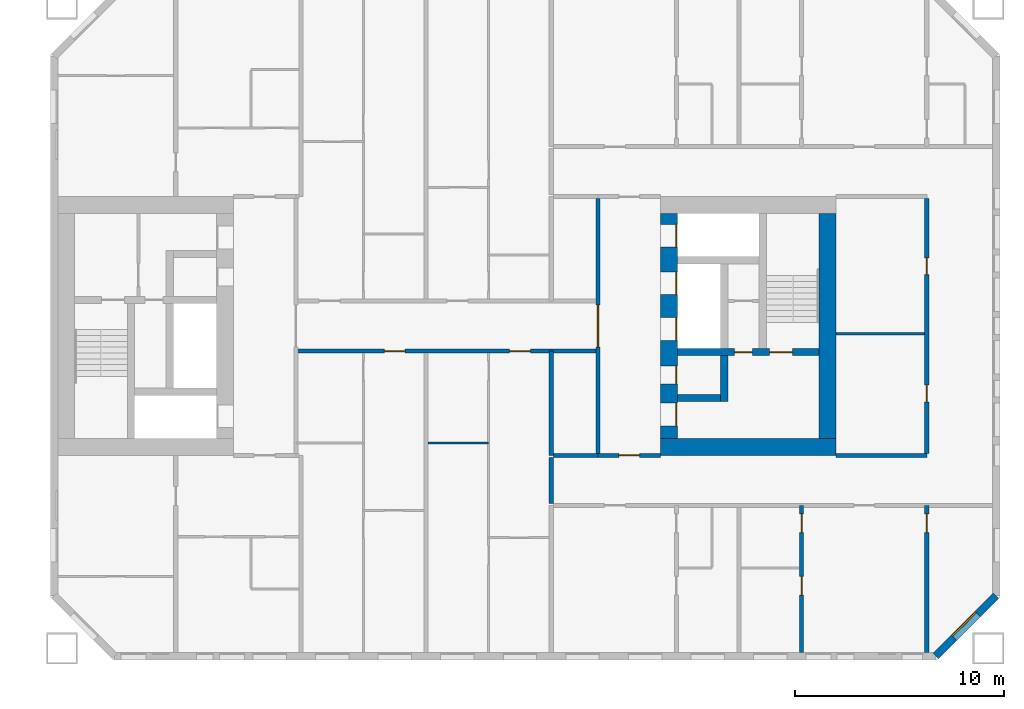
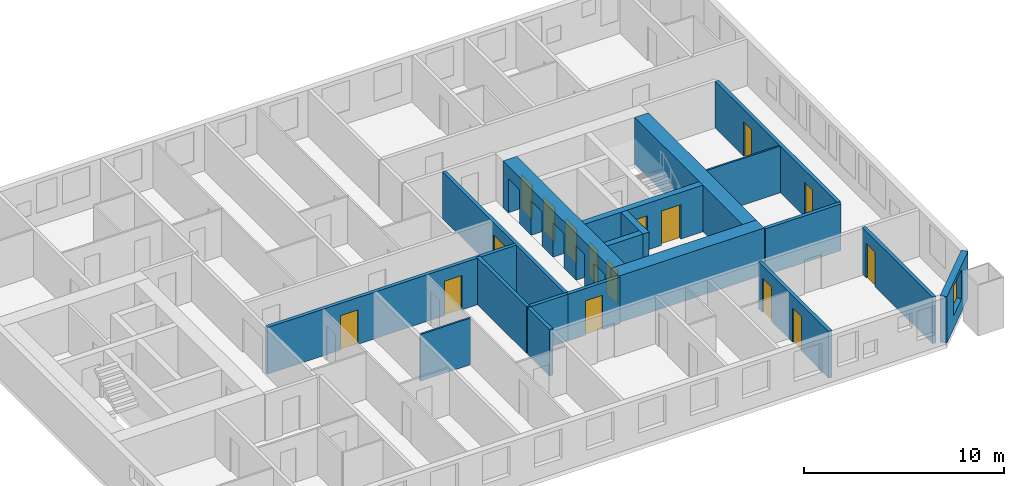
# One storey, part 12 of 17: 19 walls, 16 doors, 1 window, 17 openings.
"""IFC4 building model written with IfcOpenShell, lengths in metres."""

import ifcopenshell
import ifcopenshell.guid

model = None  # the IFC model being written
_history = None  # IfcOwnerHistory: only IFC2X3 demands one
_inside = {}  # id of a spatial element -> (the spatial element, [elements in it])
_under = {}  # id of a project, library or spatial element -> (it, [spatial elements below it])
_declared = {}  # id of a project -> (the project, [libraries it declares])
_typed = {}  # id of a type object -> (the type object, [elements of that type])
_made_of = {}  # id of a material, layer set ... -> (it, [elements and type objects made of it])


def new_model(schema):
    """Start an empty IFC model of exactly this schema.

    Asked for "IFC4X3", IfcOpenShell would pick the latest addendum, in which some entities
    have other attributes; the version numbers below select the first issue.
    IFC2X3 requires an IfcOwnerHistory on every rooted entity: one is made here for all.
    """
    global model, _history
    if schema == "IFC4X3":
        model = ifcopenshell.file(schema_version=(4, 3, 0, 0))
    else:
        model = ifcopenshell.file(schema=schema)
    _inside.clear()
    _under.clear()
    _declared.clear()
    _typed.clear()
    _made_of.clear()
    _history = None
    if model.schema == "IFC2X3":
        org = make("IfcOrganization", Name="unknown")
        user = make(
            "IfcPersonAndOrganization",
            ThePerson=make("IfcPerson", FamilyName="unknown"),
            TheOrganization=org,
        )
        app = make(
            "IfcApplication",
            ApplicationDeveloper=org,
            Version="unknown",
            ApplicationFullName="unknown",
            ApplicationIdentifier="unknown",
        )
        _history = make(
            "IfcOwnerHistory",
            OwningUser=user,
            OwningApplication=app,
            ChangeAction="ADDED",
            CreationDate=0,
        )
    return model


def make(cls, **values):
    """One entity of the class cls with the attributes given. An attribute that is None is left unset."""
    return model.create_entity(
        cls, **{name: value for name, value in values.items() if value is not None}
    )


def rooted(cls, **values):
    """An entity with a GlobalId (a new one), such as an element, a storey or a relation."""
    return make(cls, GlobalId=ifcopenshell.guid.new(), OwnerHistory=_history, **values)


def si_unit(unit_type, name, prefix=None):
    """IfcSIUnit, for example si_unit("LENGTHUNIT", "METRE", prefix="MILLI")."""
    return make("IfcSIUnit", UnitType=unit_type, Prefix=prefix, Name=name)


def assignment(units):
    """IfcUnitAssignment: the units of a project."""
    return None if units is None else make("IfcUnitAssignment", Units=units)


def point(xyz):
    """IfcCartesianPoint."""
    return None if xyz is None else make("IfcCartesianPoint", Coordinates=xyz)


def direction(xyz):
    """IfcDirection."""
    return None if xyz is None else make("IfcDirection", DirectionRatios=xyz)


def frame(location, z_axis=None, x_axis=None):
    """IfcAxis2Placement3D, a coordinate frame: its origin and axes. An axis left out is left unset."""
    return make(
        "IfcAxis2Placement3D",
        Location=point(location),
        Axis=direction(z_axis),
        RefDirection=direction(x_axis),
    )


def frame_2d(location, x_axis=None):
    """IfcAxis2Placement2D, a coordinate frame in the plane: its origin and x axis."""
    return make(
        "IfcAxis2Placement2D", Location=point(location), RefDirection=direction(x_axis)
    )


def origin():
    """The frame at (0, 0, 0) with its axes left unset."""
    return frame((0.0, 0.0, 0.0))


def place(relative_to, where):
    """IfcLocalPlacement: puts the frame where relative to a parent placement (None: the world)."""
    return make(
        "IfcLocalPlacement", PlacementRelTo=relative_to, RelativePlacement=where
    )


def context(
    kind, dimensions, precision=None, world=None, true_north=None, identifier=None
):
    """IfcGeometricRepresentationContext, for example the 3D "Model" context."""
    return make(
        "IfcGeometricRepresentationContext",
        ContextIdentifier=identifier,
        ContextType=kind,
        CoordinateSpaceDimension=dimensions,
        Precision=precision,
        WorldCoordinateSystem=world,
        TrueNorth=true_north,
    )


def subcontext(parent, identifier, kind, view, scale=None):
    """IfcGeometricRepresentationSubContext, for example "Body" below "Model"."""
    return make(
        "IfcGeometricRepresentationSubContext",
        ContextIdentifier=identifier,
        ContextType=kind,
        ParentContext=parent,
        TargetScale=scale,
        TargetView=view,
    )


def project(units=None, contexts=None):
    """IfcProject with its units and contexts."""
    return rooted(
        "IfcProject",
        Name="project",
        RepresentationContexts=contexts,
        UnitsInContext=assignment(units),
    )


def spatial(cls, under=None, at=None, **own):
    """A site, building, storey or space (cls), placed at a placement, below another one or the project."""
    s = rooted(cls, ObjectPlacement=at, **own)
    if under is not None:
        _under.setdefault(under.id(), (under, []))[1].append(s)
    return s


def profile(cls, at=None, kind="AREA", **sizes):
    """A parametric profile (cls). Its sizes go by their IFC names, for example OverallWidth=200.0."""
    return make(cls, ProfileType=kind, Position=at, **sizes)


def rectangle(**sizes):
    """IfcRectangleProfileDef."""
    return profile("IfcRectangleProfileDef", **sizes)


def extrude(swept, where, along, depth):
    """IfcExtrudedAreaSolid: the profile swept, set in the frame where, extruded along a direction by depth."""
    return make(
        "IfcExtrudedAreaSolid",
        SweptArea=swept,
        Position=where,
        ExtrudedDirection=direction(along),
        Depth=depth,
    )


def shape(context_of_items, identifier, shape_type, items):
    """IfcShapeRepresentation: the items that make up one representation, for example the "Body"."""
    return make(
        "IfcShapeRepresentation",
        ContextOfItems=context_of_items,
        RepresentationIdentifier=identifier,
        RepresentationType=shape_type,
        Items=items,
    )


def material(Name=None, Category=None):
    """IfcMaterial."""
    return make("IfcMaterial", Name=Name, Category=Category)


def layer(
    of_material, thickness, ventilated=None, Name=None, Category=None, Priority=None
):
    """IfcMaterialLayer: one layer of a wall or slab, of a material (None: an air gap)."""
    return make(
        "IfcMaterialLayer",
        Material=of_material,
        LayerThickness=thickness,
        IsVentilated=ventilated,
        Name=Name,
        Category=Category,
        Priority=Priority,
    )


def layer_set(layers, Name=None):
    """IfcMaterialLayerSet."""
    return make("IfcMaterialLayerSet", MaterialLayers=layers, LayerSetName=Name)


def made_of(thing, what):
    """Note that an element or type object is made of a material, layer set ...; save() writes the relation."""
    if what is not None:
        _made_of.setdefault(what.id(), (what, []))[1].append(thing)
    return thing


def type_object(cls, material=None, **own):
    """A type object (cls), such as IfcWallType, which elements share."""
    return made_of(rooted(cls, **own), material)


def element(
    cls,
    number,
    at=None,
    inside=None,
    cuts=None,
    type_object=None,
    material=None,
    context=None,
    identifier="Body",
    shape_type=None,
    held_by="IfcProductDefinitionShape",
    body=None,
    shapes=None,
    **own,
):
    """One element of the class cls, such as IfcWall. Its Tag is "e" and its number.

    at: its placement. inside: the storey or other place that contains it. cuts: it is an
    opening in that element (IfcRelVoidsElement). A single representation is given by context,
    identifier, shape_type and body (its items); several are given by shapes. held_by: the class
    of the entity that holds the representations. save() writes the other relations.
    """
    e = rooted(cls, Tag="e%d" % number, ObjectPlacement=at, **own)
    if body is not None:
        shapes = [shape(context, identifier, shape_type, body)]
    if shapes is not None:
        e.Representation = make(held_by, Representations=shapes)
    if inside is not None:
        _inside.setdefault(inside.id(), (inside, []))[1].append(e)
    if cuts is not None:
        rooted(
            "IfcRelVoidsElement", RelatingBuildingElement=cuts, RelatedOpeningElement=e
        )
    if type_object is not None:
        _typed.setdefault(type_object.id(), (type_object, []))[1].append(e)
    return made_of(e, material)


def fill(opening, filler):
    """IfcRelFillsElement: the door or window that sits in an opening."""
    return rooted(
        "IfcRelFillsElement",
        RelatingOpeningElement=opening,
        RelatedBuildingElement=filler,
    )


def aggregate(whole, parts):
    """IfcRelAggregates: a whole, such as a stair, and the parts it consists of."""
    return rooted("IfcRelAggregates", RelatingObject=whole, RelatedObjects=parts)


def save(model, path):
    """Write the relations noted so far, then the file.

    IfcRelAggregates (storeys below a building ...), IfcRelContainedInSpatialStructure (elements
    in a storey), IfcRelDefinesByType, IfcRelAssociatesMaterial and IfcRelDeclares: one each for
    every whole, place, type object, material and project.
    """
    for whole, parts in _under.values():
        aggregate(whole, parts)
    for where, things in _inside.values():
        rooted(
            "IfcRelContainedInSpatialStructure",
            RelatedElements=things,
            RelatingStructure=where,
        )
    for kind, things in _typed.values():
        rooted("IfcRelDefinesByType", RelatedObjects=things, RelatingType=kind)
    for what, things in _made_of.values():
        rooted("IfcRelAssociatesMaterial", RelatedObjects=things, RelatingMaterial=what)
    for by, libraries in _declared.values():
        rooted("IfcRelDeclares", RelatingContext=by, RelatedDefinitions=libraries)
    model.write(path)


model = new_model("IFC4")

# Units and contexts
model_context = context("Model", 3, precision=1e-05, world=origin(), true_north=direction((0.0, 1.0)))
body_context = subcontext(model_context, "Body", "Model", "MODEL_VIEW")
ifc_project = project(units=[si_unit("LENGTHUNIT", "METRE"), si_unit("AREAUNIT", "SQUARE_METRE"), si_unit("VOLUMEUNIT", "CUBIC_METRE"), si_unit("PLANEANGLEUNIT", "RADIAN"), si_unit("MASSUNIT", "GRAM", prefix="KILO")], contexts=[model_context])

# Site, building, storey
site_placement = place(None, origin())
site = spatial("IfcSite", under=ifc_project, at=site_placement, CompositionType="ELEMENT")
building_placement = place(site_placement, origin())
building = spatial("IfcBuilding", under=site, at=building_placement, Name="Tuart Gate Housing", CompositionType="ELEMENT")
storey_placement = place(building_placement, frame((0.0, 0.0, 47.39990234375)))
storey = spatial("IfcBuildingStorey", under=building, at=storey_placement, Name="L12", CompositionType="ELEMENT", Elevation=47.39990234375)

# Wall, opening, window
ifc_material_1 = material(Name="Brick", Category="masonry")
ifc_layer_1 = layer(ifc_material_1, 0.360107421875)
ifc_layer_set_1 = layer_set([ifc_layer_1], Name="Brick pier and spandrel wall 360")
wall_type_1 = type_object("IfcWallType", Name="Brick pier and spandrel wall 360", PredefinedType="STANDARD", material=ifc_layer_set_1)
wall_1_placement = place(storey_placement, frame((173.42529296875, 54.179931640625, 0.0), z_axis=(0.0, 0.0, 1.0), x_axis=(0.707106781187, 0.707106781187, 0.0)))
wall_1 = element("IfcWall", 1, at=wall_1_placement, inside=storey, type_object=wall_type_1, Name="External wall B-SE L12", PredefinedType="STANDARD", context=body_context, shape_type="SweptSolid", body=[
    extrude(rectangle(XDim=4.09375, YDim=0.360107421875, at=frame_2d((2.046875, 0.0))), origin(), (0.0, 0.0, 1.0), 2.85009765625),
])
opening_1_placement = place(wall_1_placement, frame((1.2470703125, 0.0, 0.800048828125)))
opening_1 = element("IfcOpeningElement", 2, at=opening_1_placement, cuts=wall_1, Name="Opening W1", PredefinedType="OPENING", context=body_context, shape_type="SweptSolid", body=[
    extrude(rectangle(XDim=1.60009765625, YDim=1.800048828125, at=frame_2d((0.800048828125, 0.89990234375))), frame((0.0, 0.18994140625, 0.0), z_axis=(0.0, -1.0, 0.0), x_axis=(1.0, 0.0, 0.0)), (0.0, 0.0, 1.0), 0.380126953125),
])
ifc_material_2 = material(Name="Aluminium frame with clear glass", Category="aluminium")
window_type = type_object("IfcWindowType", Name="Punched window 1600 x 1800", PartitioningType="SINGLE_PANEL", PredefinedType="WINDOW", material=ifc_material_2)
window_placement = place(opening_1_placement, origin())
window = element("IfcWindow", 3, at=window_placement, inside=storey, type_object=window_type, Name="Window W1", OverallHeight=1.800048828125, OverallWidth=1.60009765625, PartitioningType="SINGLE_PANEL", PredefinedType="WINDOW", context=body_context, shape_type="SweptSolid", body=[
    extrude(rectangle(XDim=1.60009765625, YDim=1.800048828125, at=frame_2d((0.800048828125, 0.89990234375))), frame((0.0, 0.150146484375, 0.0), z_axis=(0.0, -1.0, 0.0), x_axis=(1.0, 0.0, 0.0)), (0.0, 0.0, 1.0), 0.06005859375),
])
fill(opening_1, window)

# Wall, openings, doors
ifc_material_3 = material(Name="Concrete C60", Category="concrete")
ifc_layer_2 = layer(ifc_material_3, 0.35009765625)
ifc_layer_set_2 = layer_set([ifc_layer_2], Name="Core wall 350 C60")
wall_type_2 = type_object("IfcWallType", Name="Core wall 350 C60", PredefinedType="SHEAR", material=ifc_layer_set_2)
wall_2_placement = place(storey_placement, frame((161.0400390625, 68.75, 0.0), z_axis=(0.0, 0.0, 1.0), x_axis=(1.0, 0.0, 0.0)))
wall_2 = element("IfcWall", 4, at=wall_2_placement, inside=storey, type_object=wall_type_2, Name="Core wall BK.3", PredefinedType="SHEAR", context=body_context, shape_type="SweptSolid", body=[
    extrude(rectangle(XDim=6.800048828125, YDim=0.35009765625, at=frame_2d((3.39990234375, 0.0))), origin(), (0.0, 0.0, 1.0), 2.85009765625),
])
opening_2_placement = place(wall_2_placement, frame((4.425048828125, 0.0, 0.0)))
opening_2 = element("IfcOpeningElement", 5, at=opening_2_placement, cuts=wall_2, Name="Opening D693", PredefinedType="OPENING", context=body_context, shape_type="SweptSolid", body=[
    extrude(rectangle(XDim=1.10009765625, YDim=2.10009765625, at=frame_2d((0.550048828125, 1.050048828125))), frame((0.0, 0.18505859375, 0.0), z_axis=(0.0, -1.0, 0.0), x_axis=(1.0, 0.0, 0.0)), (0.0, 0.0, 1.0), 0.3701171875),
])
opening_3_placement = place(wall_2_placement, frame((2.75, 0.0, 0.0)))
opening_3 = element("IfcOpeningElement", 6, at=opening_3_placement, cuts=wall_2, Name="Opening D692", PredefinedType="OPENING", context=body_context, shape_type="SweptSolid", body=[
    extrude(rectangle(XDim=0.85009765625, YDim=2.10009765625, at=frame_2d((0.425048828125, 1.050048828125))), frame((0.0, 0.18505859375, 0.0), z_axis=(0.0, -1.0, 0.0), x_axis=(1.0, 0.0, 0.0)), (0.0, 0.0, 1.0), 0.3701171875),
])
ifc_material_4 = material(Name="Steel fire door", Category="steel")
door_type_1 = type_object("IfcDoorType", Name="Riser door 850 x 2100", OperationType="SINGLE_SWING_LEFT", PredefinedType="DOOR", material=ifc_material_4)
door_1_placement = place(opening_3_placement, origin())
door_1 = element("IfcDoor", 7, at=door_1_placement, inside=storey, type_object=door_type_1, Name="Service room door BK.W1", OperationType="SINGLE_SWING_LEFT", OverallHeight=2.10009765625, OverallWidth=0.85009765625, PredefinedType="DOOR", context=body_context, shape_type="SweptSolid", body=[
    extrude(rectangle(XDim=0.85009765625, YDim=2.10009765625, at=frame_2d((0.425048828125, 1.050048828125))), frame((0.0, 0.02490234375, 0.0), z_axis=(0.0, -1.0, 0.0), x_axis=(1.0, 0.0, 0.0)), (0.0, 0.0, 1.0), 0.050048828125),
])
fill(opening_3, door_1)
ifc_material_5 = material(Name="Steel fire door", Category="steel")
door_type_2 = type_object("IfcDoorType", Name="Stair door 1100 x 2100", OperationType="SINGLE_SWING_LEFT", PredefinedType="DOOR", material=ifc_material_5)
door_2_placement = place(opening_2_placement, origin())
door_2 = element("IfcDoor", 8, at=door_2_placement, inside=storey, type_object=door_type_2, Name="Stair door BK.SD", OperationType="SINGLE_SWING_LEFT", OverallHeight=2.10009765625, OverallWidth=1.10009765625, PredefinedType="DOOR", context=body_context, shape_type="SweptSolid", body=[
    extrude(rectangle(XDim=1.10009765625, YDim=2.10009765625, at=frame_2d((0.550048828125, 1.050048828125))), frame((0.0, 0.02490234375, 0.0), z_axis=(0.0, -1.0, 0.0), x_axis=(1.0, 0.0, 0.0)), (0.0, 0.0, 1.0), 0.050048828125),
])
fill(opening_2, door_2)

# Walls
wall_3_placement = place(storey_placement, frame((161.0400390625, 66.550048828125, 0.0), z_axis=(0.0, 0.0, 1.0), x_axis=(1.0, 0.0, 0.0)))
element("IfcWall", 9, at=wall_3_placement, inside=storey, type_object=wall_type_2, Name="Core wall BK.4", PredefinedType="SHEAR", context=body_context, shape_type="SweptSolid", body=[
    extrude(rectangle(XDim=2.074951171875, YDim=0.35009765625, at=frame_2d((1.03759765625, 0.0))), origin(), (0.0, 0.0, 1.0), 2.85009765625),
])
wall_4_placement = place(storey_placement, frame((163.2900390625, 68.574951171875, 0.0), z_axis=(0.0, 0.0, 1.0), x_axis=(0.0, -1.0, 0.0)))
element("IfcWall", 10, at=wall_4_placement, inside=storey, type_object=wall_type_2, Name="Core wall BK.6", PredefinedType="SHEAR", context=body_context, shape_type="SweptSolid", body=[
    extrude(rectangle(XDim=2.199951171875, YDim=0.35009765625, at=frame_2d((1.10009765625, 0.0))), origin(), (0.0, 0.0, 1.0), 2.85009765625),
])

# Wall, openings, doors
ifc_material_6 = material(Name="Concrete C60", Category="concrete")
ifc_layer_3 = layer(ifc_material_6, 0.800048828125)
ifc_layer_set_3 = layer_set([ifc_layer_3], Name="Core wall 800 C60")
wall_type_3 = type_object("IfcWallType", Name="Core wall 800 C60", PredefinedType="SHEAR", material=ifc_layer_set_3)
wall_5_placement = place(storey_placement, frame((160.639892578125, 75.39990234375, 0.0), z_axis=(0.0, 0.0, 1.0), x_axis=(0.0, -1.0, 0.0)))
wall_5 = element("IfcWall", 11, at=wall_5_placement, inside=storey, type_object=wall_type_3, Name="Core wall BK front", PredefinedType="SHEAR", context=body_context, shape_type="SweptSolid", body=[
    extrude(rectangle(XDim=10.7998046875, YDim=0.800048828125, at=frame_2d((5.39990234375, 0.0))), origin(), (0.0, 0.0, 1.0), 2.85009765625),
])
opening_4_placement = place(wall_5_placement, frame((0.52490234375, 0.0, 0.0)))
opening_4 = element("IfcOpeningElement", 12, at=opening_4_placement, cuts=wall_5, Name="Opening LD-FB2", PredefinedType="OPENING", context=body_context, shape_type="SweptSolid", body=[
    extrude(rectangle(XDim=1.10009765625, YDim=2.10009765625, at=frame_2d((0.550048828125, 1.050048828125))), frame((0.0, 0.409912109375, 0.0), z_axis=(0.0, -1.0, 0.0), x_axis=(1.0, 0.0, 0.0)), (0.0, 0.0, 1.0), 0.820068359375),
])
opening_5_placement = place(wall_5_placement, frame((2.800048828125, 0.0, 0.0)))
opening_5 = element("IfcOpeningElement", 13, at=opening_5_placement, cuts=wall_5, Name="Opening LD-LB3", PredefinedType="OPENING", context=body_context, shape_type="SweptSolid", body=[
    extrude(rectangle(XDim=1.10009765625, YDim=2.10009765625, at=frame_2d((0.550048828125, 1.050048828125))), frame((0.0, 0.409912109375, 0.0), z_axis=(0.0, -1.0, 0.0), x_axis=(1.0, 0.0, 0.0)), (0.0, 0.0, 1.0), 0.820068359375),
])
opening_6_placement = place(wall_5_placement, frame((5.0, 0.0, 0.0)))
opening_6 = element("IfcOpeningElement", 14, at=opening_6_placement, cuts=wall_5, Name="Opening LD-LB4", PredefinedType="OPENING", context=body_context, shape_type="SweptSolid", body=[
    extrude(rectangle(XDim=1.10009765625, YDim=2.10009765625, at=frame_2d((0.550048828125, 1.050048828125))), frame((0.0, 0.409912109375, 0.0), z_axis=(0.0, -1.0, 0.0), x_axis=(1.0, 0.0, 0.0)), (0.0, 0.0, 1.0), 0.820068359375),
])
opening_7_placement = place(wall_5_placement, frame((9.10009765625, 0.0, 0.0)))
opening_7 = element("IfcOpeningElement", 15, at=opening_7_placement, cuts=wall_5, Name="Opening D686", PredefinedType="OPENING", context=body_context, shape_type="SweptSolid", body=[
    extrude(rectangle(XDim=1.10009765625, YDim=2.10009765625, at=frame_2d((0.550048828125, 1.050048828125))), frame((0.0, 0.409912109375, 0.0), z_axis=(0.0, -1.0, 0.0), x_axis=(1.0, 0.0, 0.0)), (0.0, 0.0, 1.0), 0.820068359375),
])
opening_8_placement = place(wall_5_placement, frame((7.324951171875, 0.0, 0.0)))
opening_8 = element("IfcOpeningElement", 16, at=opening_8_placement, cuts=wall_5, Name="Opening D687", PredefinedType="OPENING", context=body_context, shape_type="SweptSolid", body=[
    extrude(rectangle(XDim=0.85009765625, YDim=2.10009765625, at=frame_2d((0.425048828125, 1.050048828125))), frame((0.0, 0.409912109375, 0.0), z_axis=(0.0, -1.0, 0.0), x_axis=(1.0, 0.0, 0.0)), (0.0, 0.0, 1.0), 0.820068359375),
])
ifc_material_7 = material(Name="Stainless steel", Category="steel")
door_type_3 = type_object("IfcDoorType", Name="Landing door 1100 x 2100", OperationType="DOUBLE_DOOR_SLIDING", PredefinedType="DOOR", material=ifc_material_7)
door_3_placement = place(opening_4_placement, origin())
door_3 = element("IfcDoor", 17, at=door_3_placement, inside=storey, type_object=door_type_3, Name="Lift landing door FB2", OperationType="DOUBLE_DOOR_SLIDING", OverallHeight=2.10009765625, OverallWidth=1.10009765625, PredefinedType="DOOR", context=body_context, shape_type="SweptSolid", body=[
    extrude(rectangle(XDim=1.10009765625, YDim=2.10009765625, at=frame_2d((0.550048828125, 1.050048828125))), frame((0.0, 0.38525390625, 0.0), z_axis=(0.0, -1.0, 0.0), x_axis=(1.0, 0.0, 0.0)), (0.0, 0.0, 1.0), 0.050048828125),
])
fill(opening_4, door_3)
door_4_placement = place(opening_5_placement, origin())
door_4 = element("IfcDoor", 18, at=door_4_placement, inside=storey, type_object=door_type_3, Name="Lift landing door LB3", OperationType="DOUBLE_DOOR_SLIDING", OverallHeight=2.10009765625, OverallWidth=1.10009765625, PredefinedType="DOOR", context=body_context, shape_type="SweptSolid", body=[
    extrude(rectangle(XDim=1.10009765625, YDim=2.10009765625, at=frame_2d((0.550048828125, 1.050048828125))), frame((0.0, 0.38525390625, 0.0), z_axis=(0.0, -1.0, 0.0), x_axis=(1.0, 0.0, 0.0)), (0.0, 0.0, 1.0), 0.050048828125),
])
fill(opening_5, door_4)
door_5_placement = place(opening_6_placement, origin())
door_5 = element("IfcDoor", 19, at=door_5_placement, inside=storey, type_object=door_type_3, Name="Lift landing door LB4", OperationType="DOUBLE_DOOR_SLIDING", OverallHeight=2.10009765625, OverallWidth=1.10009765625, PredefinedType="DOOR", context=body_context, shape_type="SweptSolid", body=[
    extrude(rectangle(XDim=1.10009765625, YDim=2.10009765625, at=frame_2d((0.550048828125, 1.050048828125))), frame((0.0, 0.38525390625, 0.0), z_axis=(0.0, -1.0, 0.0), x_axis=(1.0, 0.0, 0.0)), (0.0, 0.0, 1.0), 0.050048828125),
])
fill(opening_6, door_5)
ifc_material_8 = material(Name="Steel fire door", Category="steel")
door_type_4 = type_object("IfcDoorType", Name="Lobby door 1100 x 2100", OperationType="SINGLE_SWING_LEFT", PredefinedType="DOOR", material=ifc_material_8)
door_6_placement = place(opening_7_placement, origin())
door_6 = element("IfcDoor", 20, at=door_6_placement, inside=storey, type_object=door_type_4, Name="Lobby entry door BK.EN", OperationType="SINGLE_SWING_LEFT", OverallHeight=2.10009765625, OverallWidth=1.10009765625, PredefinedType="DOOR", context=body_context, shape_type="SweptSolid", body=[
    extrude(rectangle(XDim=1.10009765625, YDim=2.10009765625, at=frame_2d((0.550048828125, 1.050048828125))), frame((0.0, 0.38525390625, 0.0), z_axis=(0.0, -1.0, 0.0), x_axis=(1.0, 0.0, 0.0)), (0.0, 0.0, 1.0), 0.050048828125),
])
fill(opening_7, door_6)
ifc_material_9 = material(Name="Steel fire door", Category="steel")
door_type_5 = type_object("IfcDoorType", Name="Service door 850 x 2100", OperationType="SINGLE_SWING_LEFT", PredefinedType="DOOR", material=ifc_material_9)
door_7_placement = place(opening_8_placement, origin())
door_7 = element("IfcDoor", 21, at=door_7_placement, inside=storey, type_object=door_type_5, Name="Service room door BK.T1", OperationType="SINGLE_SWING_LEFT", OverallHeight=2.10009765625, OverallWidth=0.85009765625, PredefinedType="DOOR", context=body_context, shape_type="SweptSolid", body=[
    extrude(rectangle(XDim=0.85009765625, YDim=2.10009765625, at=frame_2d((0.425048828125, 1.050048828125))), frame((0.0, 0.38525390625, 0.0), z_axis=(0.0, -1.0, 0.0), x_axis=(1.0, 0.0, 0.0)), (0.0, 0.0, 1.0), 0.050048828125),
])
fill(opening_8, door_7)

# Walls
wall_6_placement = place(storey_placement, frame((168.239990234375, 75.39990234375, 0.0), z_axis=(0.0, 0.0, 1.0), x_axis=(0.0, -1.0, 0.0)))
element("IfcWall", 22, at=wall_6_placement, inside=storey, type_object=wall_type_3, Name="Core wall BK back", PredefinedType="SHEAR", context=body_context, shape_type="SweptSolid", body=[
    extrude(rectangle(XDim=10.7998046875, YDim=0.800048828125, at=frame_2d((5.39990234375, 0.0))), origin(), (0.0, 0.0, 1.0), 2.85009765625),
])
wall_7_placement = place(storey_placement, frame((160.239990234375, 64.199951171875, 0.0), z_axis=(0.0, 0.0, 1.0), x_axis=(1.0, 0.0, 0.0)))
element("IfcWall", 23, at=wall_7_placement, inside=storey, type_object=wall_type_3, Name="Core wall BK north", PredefinedType="SHEAR", context=body_context, shape_type="SweptSolid", body=[
    extrude(rectangle(XDim=8.39990234375, YDim=0.800048828125, at=frame_2d((4.199951171875, 0.0))), origin(), (0.0, 0.0, 1.0), 2.85009765625),
])
ifc_material_10 = material(Name="Concrete masonry 15 MPa", Category="masonry")
ifc_layer_4 = layer(ifc_material_10, 0.199951171875)
ifc_layer_set_4 = layer_set([ifc_layer_4], Name="Corridor wall masonry 200")
wall_type_4 = type_object("IfcWallType", Name="Corridor wall masonry 200", PredefinedType="PARTITIONING", material=ifc_layer_set_4)
wall_8_placement = place(storey_placement, frame((155.10009765625, 63.800048828125, 0.0), z_axis=(0.0, 0.0, 1.0), x_axis=(1.0, 0.0, 0.0)))
element("IfcWall", 24, at=wall_8_placement, inside=storey, type_object=wall_type_4, Name="Corridor wall masonry 200", PredefinedType="PARTITIONING", context=body_context, shape_type="SweptSolid", body=[
    extrude(rectangle(XDim=2.139892578125, YDim=0.199951171875, at=frame_2d((1.06982421875, 0.0))), origin(), (0.0, 0.0, 1.0), 2.85009765625),
])
wall_9_placement = place(storey_placement, frame((168.639892578125, 63.800048828125, 0.0), z_axis=(0.0, 0.0, 1.0), x_axis=(1.0, 0.0, 0.0)))
element("IfcWall", 25, at=wall_9_placement, inside=storey, type_object=wall_type_4, Name="Corridor wall masonry 200", PredefinedType="PARTITIONING", context=body_context, shape_type="SweptSolid", body=[
    extrude(rectangle(XDim=4.360107421875, YDim=0.199951171875, at=frame_2d((2.18017578125, 0.0))), origin(), (0.0, 0.0, 1.0), 2.85009765625),
])

# Wall, openings, doors
wall_10_placement = place(storey_placement, frame((142.760009765625, 68.800048828125, 0.0), z_axis=(0.0, 0.0, 1.0), x_axis=(1.0, 0.0, 0.0)))
wall_10 = element("IfcWall", 26, at=wall_10_placement, inside=storey, type_object=wall_type_4, Name="Corridor wall masonry 200", PredefinedType="PARTITIONING", context=body_context, shape_type="SweptSolid", body=[
    extrude(rectangle(XDim=14.47998046875, YDim=0.199951171875, at=frame_2d((7.239990234375, 0.0))), origin(), (0.0, 0.0, 1.0), 2.85009765625),
])
opening_9_placement = place(wall_10_placement, frame((4.239990234375, 0.0, 0.0)))
opening_9 = element("IfcOpeningElement", 27, at=opening_9_placement, cuts=wall_10, Name="Opening D690", PredefinedType="OPENING", context=body_context, shape_type="SweptSolid", body=[
    extrude(rectangle(XDim=1.0, YDim=2.10009765625, at=frame_2d((0.5, 1.050048828125))), frame((0.0, 0.10986328125, 0.0), z_axis=(0.0, -1.0, 0.0), x_axis=(1.0, 0.0, 0.0)), (0.0, 0.0, 1.0), 0.219970703125),
])
opening_10_placement = place(wall_10_placement, frame((10.239990234375, 0.0, 0.0)))
opening_10 = element("IfcOpeningElement", 28, at=opening_10_placement, cuts=wall_10, Name="Opening D691", PredefinedType="OPENING", context=body_context, shape_type="SweptSolid", body=[
    extrude(rectangle(XDim=1.0, YDim=2.10009765625, at=frame_2d((0.5, 1.050048828125))), frame((0.0, 0.10986328125, 0.0), z_axis=(0.0, -1.0, 0.0), x_axis=(1.0, 0.0, 0.0)), (0.0, 0.0, 1.0), 0.219970703125),
])
ifc_material_11 = material(Name="Timber door leaf in steel frame", Category="steel")
door_type_6 = type_object("IfcDoorType", Name="Flat entrance door 1000 RH", OperationType="SINGLE_SWING_RIGHT", PredefinedType="DOOR", material=ifc_material_11)
door_8_placement = place(opening_9_placement, frame((1.0, 0.0, 0.0), z_axis=(0.0, 0.0, 1.0), x_axis=(-1.0, 0.0, 0.0)))
door_8 = element("IfcDoor", 29, at=door_8_placement, inside=storey, type_object=door_type_6, Name="Flat entrance door", OperationType="SINGLE_SWING_RIGHT", OverallHeight=2.10009765625, OverallWidth=1.0, PredefinedType="DOOR", context=body_context, shape_type="SweptSolid", body=[
    extrude(rectangle(XDim=1.0, YDim=2.10009765625, at=frame_2d((0.5, 1.050048828125))), frame((0.0, 0.025146484375, 0.0), z_axis=(0.0, -1.0, 0.0), x_axis=(1.0, 0.0, 0.0)), (0.0, 0.0, 1.0), 0.050048828125),
])
fill(opening_9, door_8)
door_9_placement = place(opening_10_placement, frame((1.0, 0.0, 0.0), z_axis=(0.0, 0.0, 1.0), x_axis=(-1.0, 0.0, 0.0)))
door_9 = element("IfcDoor", 30, at=door_9_placement, inside=storey, type_object=door_type_6, Name="Flat entrance door", OperationType="SINGLE_SWING_RIGHT", OverallHeight=2.10009765625, OverallWidth=1.0, PredefinedType="DOOR", context=body_context, shape_type="SweptSolid", body=[
    extrude(rectangle(XDim=1.0, YDim=2.10009765625, at=frame_2d((0.5, 1.050048828125))), frame((0.0, 0.025146484375, 0.0), z_axis=(0.0, -1.0, 0.0), x_axis=(1.0, 0.0, 0.0)), (0.0, 0.0, 1.0), 0.050048828125),
])
fill(opening_10, door_9)

# Wall
wall_11_placement = place(storey_placement, frame((155.0, 61.5, 0.0), z_axis=(0.0, 0.0, 1.0), x_axis=(0.0, 1.0, 0.0)))
element("IfcWall", 31, at=wall_11_placement, inside=storey, type_object=wall_type_4, Name="Corridor wall masonry 200", PredefinedType="PARTITIONING", context=body_context, shape_type="SweptSolid", body=[
    extrude(rectangle(XDim=2.199951171875, YDim=0.199951171875, at=frame_2d((1.10009765625, 0.0))), origin(), (0.0, 0.0, 1.0), 2.85009765625),
])

# Wall, openings, doors
wall_12_placement = place(storey_placement, frame((173.0, 63.89990234375, 0.0), z_axis=(0.0, 0.0, 1.0), x_axis=(0.0, 1.0, 0.0)))
wall_12 = element("IfcWall", 32, at=wall_12_placement, inside=storey, type_object=wall_type_4, Name="Corridor wall masonry 200", PredefinedType="PARTITIONING", context=body_context, shape_type="SweptSolid", body=[
    extrude(rectangle(XDim=12.2001953125, YDim=0.199951171875, at=frame_2d((6.10009765625, 0.0))), origin(), (0.0, 0.0, 1.0), 2.85009765625),
])
opening_11_placement = place(wall_12_placement, frame((2.465087890625, 0.0, 0.0)))
opening_11 = element("IfcOpeningElement", 33, at=opening_11_placement, cuts=wall_12, Name="Opening D688", PredefinedType="OPENING", context=body_context, shape_type="SweptSolid", body=[
    extrude(rectangle(XDim=0.800048828125, YDim=2.10009765625, at=frame_2d((0.39990234375, 1.050048828125))), frame((0.0, 0.10986328125, 0.0), z_axis=(0.0, -1.0, 0.0), x_axis=(1.0, 0.0, 0.0)), (0.0, 0.0, 1.0), 0.219970703125),
])
opening_12_placement = place(wall_12_placement, frame((8.56494140625, 0.0, 0.0)))
opening_12 = element("IfcOpeningElement", 34, at=opening_12_placement, cuts=wall_12, Name="Opening D689", PredefinedType="OPENING", context=body_context, shape_type="SweptSolid", body=[
    extrude(rectangle(XDim=0.800048828125, YDim=2.10009765625, at=frame_2d((0.39990234375, 1.050048828125))), frame((0.0, 0.10986328125, 0.0), z_axis=(0.0, -1.0, 0.0), x_axis=(1.0, 0.0, 0.0)), (0.0, 0.0, 1.0), 0.219970703125),
])
ifc_material_12 = material(Name="Timber door leaf in steel frame", Category="steel")
door_type_7 = type_object("IfcDoorType", Name="Store door 800", OperationType="SINGLE_SWING_LEFT", PredefinedType="DOOR", material=ifc_material_12)
door_10_placement = place(opening_12_placement, origin())
door_10 = element("IfcDoor", 35, at=door_10_placement, inside=storey, type_object=door_type_7, Name="Store door", OperationType="SINGLE_SWING_LEFT", OverallHeight=2.10009765625, OverallWidth=0.800048828125, PredefinedType="DOOR", context=body_context, shape_type="SweptSolid", body=[
    extrude(rectangle(XDim=0.800048828125, YDim=2.10009765625, at=frame_2d((0.39990234375, 1.050048828125))), frame((0.0, 0.02490234375, 0.0), z_axis=(0.0, -1.0, 0.0), x_axis=(1.0, 0.0, 0.0)), (0.0, 0.0, 1.0), 0.050048828125),
])
fill(opening_12, door_10)
ifc_material_13 = material(Name="Timber door leaf in steel frame", Category="steel")
door_type_8 = type_object("IfcDoorType", Name="Store door 800 RH", OperationType="SINGLE_SWING_RIGHT", PredefinedType="DOOR", material=ifc_material_13)
door_11_placement = place(opening_11_placement, origin())
door_11 = element("IfcDoor", 36, at=door_11_placement, inside=storey, type_object=door_type_8, Name="Store door", OperationType="SINGLE_SWING_RIGHT", OverallHeight=2.10009765625, OverallWidth=0.800048828125, PredefinedType="DOOR", context=body_context, shape_type="SweptSolid", body=[
    extrude(rectangle(XDim=0.800048828125, YDim=2.10009765625, at=frame_2d((0.39990234375, 1.050048828125))), frame((0.0, 0.02490234375, 0.0), z_axis=(0.0, -1.0, 0.0), x_axis=(1.0, 0.0, 0.0)), (0.0, 0.0, 1.0), 0.050048828125),
])
fill(opening_11, door_11)

# Wall, opening, door
ifc_material_14 = material(Name="Concrete masonry 15 MPa", Category="masonry")
ifc_layer_5 = layer(ifc_material_14, 0.199951171875)
ifc_layer_set_5 = layer_set([ifc_layer_5], Name="Enclosure wall masonry 200")
wall_type_5 = type_object("IfcWallType", Name="Enclosure wall masonry 200", PredefinedType="PARTITIONING", material=ifc_layer_set_5)
wall_13_placement = place(storey_placement, frame((157.239990234375, 63.800048828125, 0.0), z_axis=(0.0, 0.0, 1.0), x_axis=(1.0, 0.0, 0.0)))
wall_13 = element("IfcWall", 37, at=wall_13_placement, inside=storey, type_object=wall_type_5, Name="Enclosure wall masonry 200", PredefinedType="PARTITIONING", context=body_context, shape_type="SweptSolid", body=[
    extrude(rectangle(XDim=3.0, YDim=0.199951171875, at=frame_2d((1.5, 0.0))), origin(), (0.0, 0.0, 1.0), 2.85009765625),
])
opening_13_placement = place(wall_13_placement, frame((1.0, 0.0, 0.0)))
opening_13 = element("IfcOpeningElement", 38, at=opening_13_placement, cuts=wall_13, Name="Opening D695", PredefinedType="OPENING", context=body_context, shape_type="SweptSolid", body=[
    extrude(rectangle(XDim=1.0, YDim=2.10009765625, at=frame_2d((0.5, 1.050048828125))), frame((0.0, 0.10986328125, 0.0), z_axis=(0.0, -1.0, 0.0), x_axis=(1.0, 0.0, 0.0)), (0.0, 0.0, 1.0), 0.219970703125),
])
ifc_material_15 = material(Name="Timber door leaf in steel frame", Category="steel")
door_type_9 = type_object("IfcDoorType", Name="Fire door 1000 RH", OperationType="SINGLE_SWING_RIGHT", PredefinedType="DOOR", material=ifc_material_15)
door_12_placement = place(opening_13_placement, frame((1.0, 0.0, 0.0), z_axis=(0.0, 0.0, 1.0), x_axis=(-1.0, 0.0, 0.0)))
door_12 = element("IfcDoor", 39, at=door_12_placement, inside=storey, type_object=door_type_9, Name="Fire door", OperationType="SINGLE_SWING_RIGHT", OverallHeight=2.10009765625, OverallWidth=1.0, PredefinedType="DOOR", context=body_context, shape_type="SweptSolid", body=[
    extrude(rectangle(XDim=1.0, YDim=2.10009765625, at=frame_2d((0.5, 1.050048828125))), frame((0.0, 0.025146484375, 0.0), z_axis=(0.0, -1.0, 0.0), x_axis=(1.0, 0.0, 0.0)), (0.0, 0.0, 1.0), 0.050048828125),
])
fill(opening_13, door_12)

ifc_material_16 = material(Name="Plasterboard partition")
ifc_layer_6 = layer(ifc_material_16, 0.199951171875)
ifc_layer_set_6 = layer_set([ifc_layer_6], Name="Lobby wall 200")
wall_type_6 = type_object("IfcWallType", Name="Lobby wall 200", PredefinedType="PARTITIONING", material=ifc_layer_set_6)
wall_14_placement = place(storey_placement, frame((157.239990234375, 63.89990234375, 0.0), z_axis=(0.0, 0.0, 1.0), x_axis=(0.0, 1.0, 0.0)))
wall_14 = element("IfcWall", 40, at=wall_14_placement, inside=storey, type_object=wall_type_6, Name="Lift lobby wall BK", PredefinedType="PARTITIONING", context=body_context, shape_type="SweptSolid", body=[
    extrude(rectangle(XDim=12.2001953125, YDim=0.199951171875, at=frame_2d((6.10009765625, 0.0))), origin(), (0.0, 0.0, 1.0), 2.85009765625),
])
opening_14_placement = place(wall_14_placement, frame((5.10009765625, 0.0, 0.0)))
opening_14 = element("IfcOpeningElement", 41, at=opening_14_placement, cuts=wall_14, Name="Opening D685", PredefinedType="OPENING", context=body_context, shape_type="SweptSolid", body=[
    extrude(rectangle(XDim=2.0, YDim=2.10009765625, at=frame_2d((1.0, 1.050048828125))), frame((0.0, 0.10986328125, 0.0), z_axis=(0.0, -1.0, 0.0), x_axis=(1.0, 0.0, 0.0)), (0.0, 0.0, 1.0), 0.219970703125),
])
ifc_material_17 = material(Name="Steel fire door", Category="steel")
door_type_10 = type_object("IfcDoorType", Name="Smoke door 2000 x 2100", OperationType="DOUBLE_DOOR_SINGLE_SWING", PredefinedType="DOOR", material=ifc_material_17)
door_13_placement = place(opening_14_placement, frame((2.0, 0.0, 0.0), z_axis=(0.0, 0.0, 1.0), x_axis=(-1.0, 0.0, 0.0)))
door_13 = element("IfcDoor", 42, at=door_13_placement, inside=storey, type_object=door_type_10, Name="Lift lobby smoke door BK", OperationType="DOUBLE_DOOR_SINGLE_SWING", OverallHeight=2.10009765625, OverallWidth=2.0, PredefinedType="DOOR", context=body_context, shape_type="SweptSolid", body=[
    extrude(rectangle(XDim=2.0, YDim=2.10009765625, at=frame_2d((1.0, 1.050048828125))), frame((0.0, 0.025146484375, 0.0), z_axis=(0.0, -1.0, 0.0), x_axis=(1.0, 0.0, 0.0)), (0.0, 0.0, 1.0), 0.050048828125),
])
fill(opening_14, door_13)

# Walls
ifc_material_18 = material(Name="Gypsum board on steel studs", Category="steel")
ifc_layer_7 = layer(ifc_material_18, 0.10009765625)
ifc_layer_set_7 = layer_set([ifc_layer_7], Name="Partition 100")
wall_type_7 = type_object("IfcWallType", Name="Partition 100", PredefinedType="PARTITIONING", material=ifc_layer_set_7)
wall_15_placement = place(storey_placement, frame((149.10009765625, 64.39990234375, 0.0), z_axis=(0.0, 0.0, 1.0), x_axis=(1.0, 0.0, 0.0)))
element("IfcWall", 43, at=wall_15_placement, inside=storey, type_object=wall_type_7, Name="Partition 100", PredefinedType="PARTITIONING", context=body_context, shape_type="SweptSolid", body=[
    extrude(rectangle(XDim=2.89990234375, YDim=0.10009765625, at=frame_2d((1.449951171875, 0.0))), origin(), (0.0, 0.0, 1.0), 2.85009765625),
])
wall_16_placement = place(storey_placement, frame((168.639892578125, 69.6298828125, 0.0), z_axis=(0.0, 0.0, 1.0), x_axis=(1.0, 0.0, 0.0)))
element("IfcWall", 44, at=wall_16_placement, inside=storey, type_object=wall_type_7, Name="Partition 100", PredefinedType="PARTITIONING", context=body_context, shape_type="SweptSolid", body=[
    extrude(rectangle(XDim=4.260009765625, YDim=0.10009765625, at=frame_2d((2.1298828125, 0.0))), origin(), (0.0, 0.0, 1.0), 2.85009765625),
])
ifc_material_19 = material(Name="Concrete C40", Category="concrete")
ifc_layer_8 = layer(ifc_material_19, 0.199951171875)
ifc_layer_set_8 = layer_set([ifc_layer_8], Name="Party wall concrete C40 200")
wall_type_8 = type_object("IfcWallType", Name="Party wall concrete C40 200", PredefinedType="SOLIDWALL", material=ifc_layer_set_8)
wall_17_placement = place(storey_placement, frame((155.0, 63.800048828125, 0.0), z_axis=(0.0, 0.0, 1.0), x_axis=(0.0, 1.0, 0.0)))
element("IfcWall", 45, at=wall_17_placement, inside=storey, type_object=wall_type_8, Name="Party wall concrete C40 200", PredefinedType="SOLIDWALL", context=body_context, shape_type="SweptSolid", body=[
    extrude(rectangle(XDim=5.0, YDim=0.199951171875, at=frame_2d((2.5, 0.0))), origin(), (0.0, 0.0, 1.0), 2.85009765625),
])

# Wall, openings, doors
wall_18_placement = place(storey_placement, frame((167.0, 54.360107421875, 0.0), z_axis=(0.0, 0.0, 1.0), x_axis=(0.0, 1.0, 0.0)))
wall_18 = element("IfcWall", 46, at=wall_18_placement, inside=storey, type_object=wall_type_8, Name="Party wall concrete C40 200", PredefinedType="SOLIDWALL", context=body_context, shape_type="SweptSolid", body=[
    extrude(rectangle(XDim=7.039794921875, YDim=0.199951171875, at=frame_2d((3.52001953125, 0.0))), origin(), (0.0, 0.0, 1.0), 2.85009765625),
])
opening_15_placement = place(wall_18_placement, frame((2.739990234375, 0.0, 0.0)))
opening_15 = element("IfcOpeningElement", 47, at=opening_15_placement, cuts=wall_18, Name="Opening D711", PredefinedType="OPENING", context=body_context, shape_type="SweptSolid", body=[
    extrude(rectangle(XDim=0.89990234375, YDim=2.10009765625, at=frame_2d((0.449951171875, 1.050048828125))), frame((0.0, 0.10986328125, 0.0), z_axis=(0.0, -1.0, 0.0), x_axis=(1.0, 0.0, 0.0)), (0.0, 0.0, 1.0), 0.219970703125),
])
opening_16_placement = place(wall_18_placement, frame((5.739990234375, 0.0, 0.0)))
opening_16 = element("IfcOpeningElement", 48, at=opening_16_placement, cuts=wall_18, Name="Opening D710", PredefinedType="OPENING", context=body_context, shape_type="SweptSolid", body=[
    extrude(rectangle(XDim=0.89990234375, YDim=2.10009765625, at=frame_2d((0.449951171875, 1.050048828125))), frame((0.0, 0.10986328125, 0.0), z_axis=(0.0, -1.0, 0.0), x_axis=(1.0, 0.0, 0.0)), (0.0, 0.0, 1.0), 0.219970703125),
])
ifc_material_20 = material(Name="Timber door leaf in steel frame", Category="steel")
door_type_11 = type_object("IfcDoorType", Name="Bathroom door 900 RH", OperationType="SINGLE_SWING_RIGHT", PredefinedType="DOOR", material=ifc_material_20)
door_14_placement = place(opening_16_placement, origin())
door_14 = element("IfcDoor", 49, at=door_14_placement, inside=storey, type_object=door_type_11, Name="Bathroom door", OperationType="SINGLE_SWING_RIGHT", OverallHeight=2.10009765625, OverallWidth=0.89990234375, PredefinedType="DOOR", context=body_context, shape_type="SweptSolid", body=[
    extrude(rectangle(XDim=0.89990234375, YDim=2.10009765625, at=frame_2d((0.449951171875, 1.050048828125))), frame((0.0, 0.02490234375, 0.0), z_axis=(0.0, -1.0, 0.0), x_axis=(1.0, 0.0, 0.0)), (0.0, 0.0, 1.0), 0.050048828125),
])
fill(opening_16, door_14)
ifc_material_21 = material(Name="Timber door leaf in steel frame", Category="steel")
door_type_12 = type_object("IfcDoorType", Name="Internal door 900 RH", OperationType="SINGLE_SWING_RIGHT", PredefinedType="DOOR", material=ifc_material_21)
door_15_placement = place(opening_15_placement, origin())
door_15 = element("IfcDoor", 50, at=door_15_placement, inside=storey, type_object=door_type_12, Name="Internal door", OperationType="SINGLE_SWING_RIGHT", OverallHeight=2.10009765625, OverallWidth=0.89990234375, PredefinedType="DOOR", context=body_context, shape_type="SweptSolid", body=[
    extrude(rectangle(XDim=0.89990234375, YDim=2.10009765625, at=frame_2d((0.449951171875, 1.050048828125))), frame((0.0, 0.02490234375, 0.0), z_axis=(0.0, -1.0, 0.0), x_axis=(1.0, 0.0, 0.0)), (0.0, 0.0, 1.0), 0.050048828125),
])
fill(opening_15, door_15)

# Wall, opening, door
wall_19_placement = place(storey_placement, frame((173.0, 54.360107421875, 0.0), z_axis=(0.0, 0.0, 1.0), x_axis=(0.0, 1.0, 0.0)))
wall_19 = element("IfcWall", 51, at=wall_19_placement, inside=storey, type_object=wall_type_8, Name="Party wall concrete C40 200", PredefinedType="SOLIDWALL", context=body_context, shape_type="SweptSolid", body=[
    extrude(rectangle(XDim=7.039794921875, YDim=0.199951171875, at=frame_2d((3.52001953125, 0.0))), origin(), (0.0, 0.0, 1.0), 2.85009765625),
])
opening_17_placement = place(wall_19_placement, frame((5.739990234375, 0.0, 0.0)))
opening_17 = element("IfcOpeningElement", 52, at=opening_17_placement, cuts=wall_19, Name="Opening D712", PredefinedType="OPENING", context=body_context, shape_type="SweptSolid", body=[
    extrude(rectangle(XDim=0.89990234375, YDim=2.10009765625, at=frame_2d((0.449951171875, 1.050048828125))), frame((0.0, 0.10986328125, 0.0), z_axis=(0.0, -1.0, 0.0), x_axis=(1.0, 0.0, 0.0)), (0.0, 0.0, 1.0), 0.219970703125),
])
ifc_material_22 = material(Name="Timber door leaf in steel frame", Category="steel")
door_type_13 = type_object("IfcDoorType", Name="Internal door 900", OperationType="SINGLE_SWING_LEFT", PredefinedType="DOOR", material=ifc_material_22)
door_16_placement = place(opening_17_placement, frame((0.89990234375, 0.0, 0.0), z_axis=(0.0, 0.0, 1.0), x_axis=(-1.0, 0.0, 0.0)))
door_16 = element("IfcDoor", 53, at=door_16_placement, inside=storey, type_object=door_type_13, Name="Internal door", OperationType="SINGLE_SWING_LEFT", OverallHeight=2.10009765625, OverallWidth=0.89990234375, PredefinedType="DOOR", context=body_context, shape_type="SweptSolid", body=[
    extrude(rectangle(XDim=0.89990234375, YDim=2.10009765625, at=frame_2d((0.449951171875, 1.050048828125))), frame((0.0, 0.025146484375, 0.0), z_axis=(0.0, -1.0, 0.0), x_axis=(1.0, 0.0, 0.0)), (0.0, 0.0, 1.0), 0.050048828125),
])
fill(opening_17, door_16)

save(model, "model.ifc")
